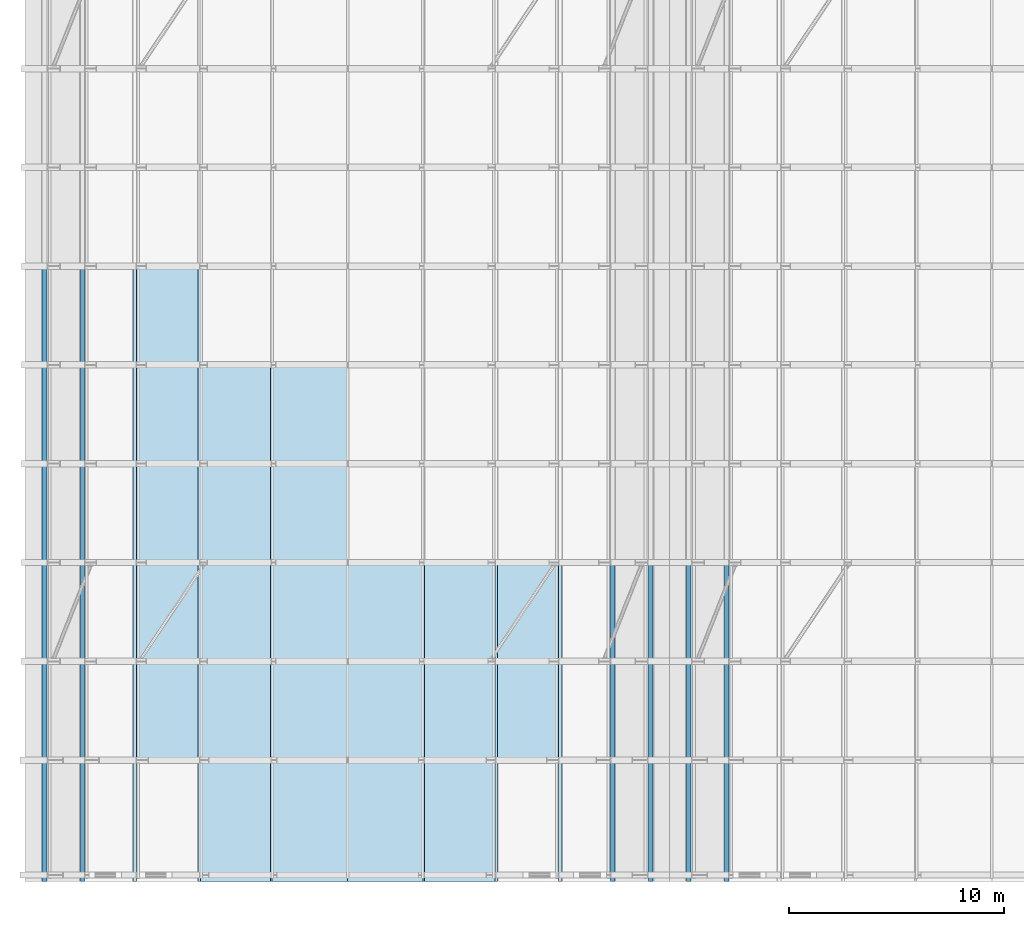
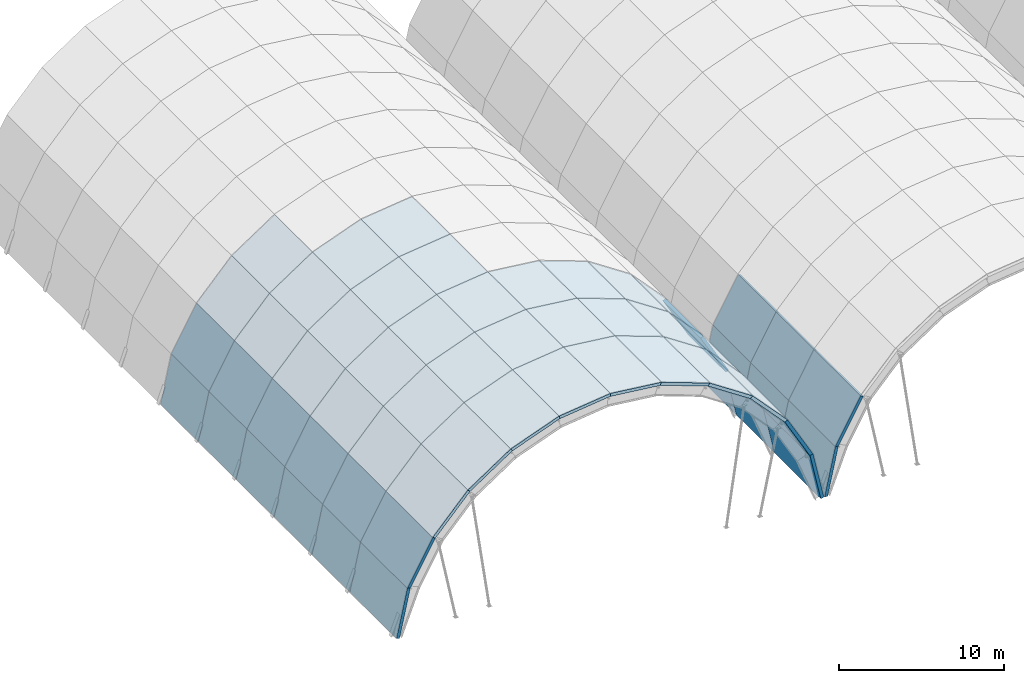
# One storey, part 19 of 47: 58 slabs, 2 elements without a shape of their own.
"""IFC4 building model written with IfcOpenShell, lengths in metres."""

import ifcopenshell
import ifcopenshell.guid

model = None  # the IFC model being written
_history = None  # IfcOwnerHistory: only IFC2X3 demands one
_inside = {}  # id of a spatial element -> (the spatial element, [elements in it])
_under = {}  # id of a project, library or spatial element -> (it, [spatial elements below it])
_declared = {}  # id of a project -> (the project, [libraries it declares])
_typed = {}  # id of a type object -> (the type object, [elements of that type])
_made_of = {}  # id of a material, layer set ... -> (it, [elements and type objects made of it])


def new_model(schema):
    """Start an empty IFC model of exactly this schema.

    Asked for "IFC4X3", IfcOpenShell would pick the latest addendum, in which some entities
    have other attributes; the version numbers below select the first issue.
    IFC2X3 requires an IfcOwnerHistory on every rooted entity: one is made here for all.
    """
    global model, _history
    if schema == "IFC4X3":
        model = ifcopenshell.file(schema_version=(4, 3, 0, 0))
    else:
        model = ifcopenshell.file(schema=schema)
    _inside.clear()
    _under.clear()
    _declared.clear()
    _typed.clear()
    _made_of.clear()
    _history = None
    if model.schema == "IFC2X3":
        org = make("IfcOrganization", Name="unknown")
        user = make(
            "IfcPersonAndOrganization",
            ThePerson=make("IfcPerson", FamilyName="unknown"),
            TheOrganization=org,
        )
        app = make(
            "IfcApplication",
            ApplicationDeveloper=org,
            Version="unknown",
            ApplicationFullName="unknown",
            ApplicationIdentifier="unknown",
        )
        _history = make(
            "IfcOwnerHistory",
            OwningUser=user,
            OwningApplication=app,
            ChangeAction="ADDED",
            CreationDate=0,
        )
    return model


def make(cls, **values):
    """One entity of the class cls with the attributes given. An attribute that is None is left unset."""
    return model.create_entity(
        cls, **{name: value for name, value in values.items() if value is not None}
    )


def rooted(cls, **values):
    """An entity with a GlobalId (a new one), such as an element, a storey or a relation."""
    return make(cls, GlobalId=ifcopenshell.guid.new(), OwnerHistory=_history, **values)


def si_unit(unit_type, name, prefix=None):
    """IfcSIUnit, for example si_unit("LENGTHUNIT", "METRE", prefix="MILLI")."""
    return make("IfcSIUnit", UnitType=unit_type, Prefix=prefix, Name=name)


def assignment(units):
    """IfcUnitAssignment: the units of a project."""
    return None if units is None else make("IfcUnitAssignment", Units=units)


def point(xyz):
    """IfcCartesianPoint."""
    return None if xyz is None else make("IfcCartesianPoint", Coordinates=xyz)


def direction(xyz):
    """IfcDirection."""
    return None if xyz is None else make("IfcDirection", DirectionRatios=xyz)


def frame(location, z_axis=None, x_axis=None):
    """IfcAxis2Placement3D, a coordinate frame: its origin and axes. An axis left out is left unset."""
    return make(
        "IfcAxis2Placement3D",
        Location=point(location),
        Axis=direction(z_axis),
        RefDirection=direction(x_axis),
    )


def origin():
    """The frame at (0, 0, 0) with its axes left unset."""
    return frame((0.0, 0.0, 0.0))


def place(relative_to, where):
    """IfcLocalPlacement: puts the frame where relative to a parent placement (None: the world)."""
    return make(
        "IfcLocalPlacement", PlacementRelTo=relative_to, RelativePlacement=where
    )


def context(
    kind, dimensions, precision=None, world=None, true_north=None, identifier=None
):
    """IfcGeometricRepresentationContext, for example the 3D "Model" context."""
    return make(
        "IfcGeometricRepresentationContext",
        ContextIdentifier=identifier,
        ContextType=kind,
        CoordinateSpaceDimension=dimensions,
        Precision=precision,
        WorldCoordinateSystem=world,
        TrueNorth=true_north,
    )


def subcontext(parent, identifier, kind, view, scale=None):
    """IfcGeometricRepresentationSubContext, for example "Body" below "Model"."""
    return make(
        "IfcGeometricRepresentationSubContext",
        ContextIdentifier=identifier,
        ContextType=kind,
        ParentContext=parent,
        TargetScale=scale,
        TargetView=view,
    )


def project(units=None, contexts=None):
    """IfcProject with its units and contexts."""
    return rooted(
        "IfcProject",
        Name="project",
        RepresentationContexts=contexts,
        UnitsInContext=assignment(units),
    )


def spatial(cls, under=None, at=None, **own):
    """A site, building, storey or space (cls), placed at a placement, below another one or the project."""
    s = rooted(cls, ObjectPlacement=at, **own)
    if under is not None:
        _under.setdefault(under.id(), (under, []))[1].append(s)
    return s


def polyline(points):
    """IfcPolyline through the points."""
    return make("IfcPolyline", Points=[point(p) for p in points])


def outline(outer, holes=None, kind="AREA"):
    """IfcArbitraryClosedProfileDef: a profile drawn as a closed curve; with holes, ...WithVoids."""
    if holes is None:
        return make("IfcArbitraryClosedProfileDef", ProfileType=kind, OuterCurve=outer)
    return make(
        "IfcArbitraryProfileDefWithVoids",
        ProfileType=kind,
        OuterCurve=outer,
        InnerCurves=holes,
    )


def extrude(swept, where, along, depth):
    """IfcExtrudedAreaSolid: the profile swept, set in the frame where, extruded along a direction by depth."""
    return make(
        "IfcExtrudedAreaSolid",
        SweptArea=swept,
        Position=where,
        ExtrudedDirection=direction(along),
        Depth=depth,
    )


def shape(context_of_items, identifier, shape_type, items):
    """IfcShapeRepresentation: the items that make up one representation, for example the "Body"."""
    return make(
        "IfcShapeRepresentation",
        ContextOfItems=context_of_items,
        RepresentationIdentifier=identifier,
        RepresentationType=shape_type,
        Items=items,
    )


def material(Name=None, Category=None):
    """IfcMaterial."""
    return make("IfcMaterial", Name=Name, Category=Category)


def layer(
    of_material, thickness, ventilated=None, Name=None, Category=None, Priority=None
):
    """IfcMaterialLayer: one layer of a wall or slab, of a material (None: an air gap)."""
    return make(
        "IfcMaterialLayer",
        Material=of_material,
        LayerThickness=thickness,
        IsVentilated=ventilated,
        Name=Name,
        Category=Category,
        Priority=Priority,
    )


def layer_set(layers, Name=None):
    """IfcMaterialLayerSet."""
    return make("IfcMaterialLayerSet", MaterialLayers=layers, LayerSetName=Name)


def made_of(thing, what):
    """Note that an element or type object is made of a material, layer set ...; save() writes the relation."""
    if what is not None:
        _made_of.setdefault(what.id(), (what, []))[1].append(thing)
    return thing


def type_object(cls, material=None, **own):
    """A type object (cls), such as IfcWallType, which elements share."""
    return made_of(rooted(cls, **own), material)


def element(
    cls,
    number,
    at=None,
    inside=None,
    cuts=None,
    type_object=None,
    material=None,
    context=None,
    identifier="Body",
    shape_type=None,
    held_by="IfcProductDefinitionShape",
    body=None,
    shapes=None,
    **own,
):
    """One element of the class cls, such as IfcWall. Its Tag is "e" and its number.

    at: its placement. inside: the storey or other place that contains it. cuts: it is an
    opening in that element (IfcRelVoidsElement). A single representation is given by context,
    identifier, shape_type and body (its items); several are given by shapes. held_by: the class
    of the entity that holds the representations. save() writes the other relations.
    """
    e = rooted(cls, Tag="e%d" % number, ObjectPlacement=at, **own)
    if body is not None:
        shapes = [shape(context, identifier, shape_type, body)]
    if shapes is not None:
        e.Representation = make(held_by, Representations=shapes)
    if inside is not None:
        _inside.setdefault(inside.id(), (inside, []))[1].append(e)
    if cuts is not None:
        rooted(
            "IfcRelVoidsElement", RelatingBuildingElement=cuts, RelatedOpeningElement=e
        )
    if type_object is not None:
        _typed.setdefault(type_object.id(), (type_object, []))[1].append(e)
    return made_of(e, material)


def aggregate(whole, parts):
    """IfcRelAggregates: a whole, such as a stair, and the parts it consists of."""
    return rooted("IfcRelAggregates", RelatingObject=whole, RelatedObjects=parts)


def save(model, path):
    """Write the relations noted so far, then the file.

    IfcRelAggregates (storeys below a building ...), IfcRelContainedInSpatialStructure (elements
    in a storey), IfcRelDefinesByType, IfcRelAssociatesMaterial and IfcRelDeclares: one each for
    every whole, place, type object, material and project.
    """
    for whole, parts in _under.values():
        aggregate(whole, parts)
    for where, things in _inside.values():
        rooted(
            "IfcRelContainedInSpatialStructure",
            RelatedElements=things,
            RelatingStructure=where,
        )
    for kind, things in _typed.values():
        rooted("IfcRelDefinesByType", RelatedObjects=things, RelatingType=kind)
    for what, things in _made_of.values():
        rooted("IfcRelAssociatesMaterial", RelatedObjects=things, RelatingMaterial=what)
    for by, libraries in _declared.values():
        rooted("IfcRelDeclares", RelatingContext=by, RelatedDefinitions=libraries)
    model.write(path)


model = new_model("IFC4")

# Units and contexts
model_context = context("Model", 3, precision=1e-05, world=origin(), true_north=direction((0.0, 1.0)))
body_context = subcontext(model_context, "Body", "Model", "MODEL_VIEW")
ifc_project = project(units=[si_unit("LENGTHUNIT", "METRE"), si_unit("AREAUNIT", "SQUARE_METRE"), si_unit("VOLUMEUNIT", "CUBIC_METRE"), si_unit("PLANEANGLEUNIT", "RADIAN"), si_unit("MASSUNIT", "GRAM", prefix="KILO")], contexts=[model_context])

# Site, building, storey
site_placement = place(None, origin())
site = spatial("IfcSite", under=ifc_project, at=site_placement, CompositionType="ELEMENT")
building_placement = place(site_placement, origin())
building = spatial("IfcBuilding", under=site, at=building_placement, Name="Muzn Square Opera House", CompositionType="ELEMENT")
storey_placement = place(building_placement, frame((0.0, 0.0, 31.0)))
storey = spatial("IfcBuildingStorey", under=building, at=storey_placement, Name="RF-1", CompositionType="ELEMENT", Elevation=31.0)

# Roof, slabs
ifc_material_1 = material(Name="Patina green copper-zinc standing seam", Category="metal")
roof_type = type_object("IfcRoofType", Name="Barrel Vault Roof Assembly", PredefinedType="BARREL_ROOF", material=ifc_material_1)
roof_1_placement = place(storey_placement, origin())
roof_1 = element("IfcRoof", 1, at=roof_1_placement, inside=storey, type_object=roof_type, Name="West Salon Barrel Vault Roof Assembly", PredefinedType="BARREL_ROOF")
ifc_material_2 = material(Name="Concrete C40/50", Category="concrete")
ifc_layer = layer(ifc_material_2, 0.219970703125, Name="Concrete C40/50", Category="concrete")
ifc_layer_set = layer_set([ifc_layer], Name="Concrete C40/50")
slab_type = type_object("IfcSlabType", Name="Barrel Vault Roof Slab 220mm", PredefinedType="ROOF", material=ifc_layer_set)
slab_1_placement = place(storey_placement, frame((43.780029296875, 20.949951171875, -9.03564453125), z_axis=(-0.97702538959, 0.0, 0.213122941272), x_axis=(0.0, 1.0, 0.0)))
slab_1 = element("IfcSlab", 2, at=slab_1_placement, type_object=slab_type, Name="Barrel Vault Roof Deck Strip V1-00-F00", PredefinedType="ROOF", context=body_context, shape_type="SweptSolid", body=[
    extrude(outline(polyline([(0.0, 3.5523162058829336), (0.0, 0.0), (5.650146484375, 0.0), (5.650146484375, 3.5523162058829336), (0.0, 3.5523162058829336)])), origin(), (0.0, 0.0, -1.0), 0.219970703125),
])
slab_2_placement = place(storey_placement, frame((45.55712890625, 20.949951171875, -5.891845703125), z_axis=(-0.870542692247, 0.0, 0.492092898724), x_axis=(0.0, 1.0, 0.0)))
slab_2 = element("IfcSlab", 3, at=slab_2_placement, type_object=slab_type, Name="Barrel Vault Roof Deck Strip V1-00-F01", PredefinedType="ROOF", context=body_context, shape_type="SweptSolid", body=[
    extrude(outline(polyline([(0.0, 3.611309193818898), (0.0, 0.0), (5.650146484375, 0.0), (5.650146484375, 3.611309193818898), (0.0, 3.611309193818898)])), origin(), (0.0, 0.0, -1.0), 0.219970703125),
])
slab_3_placement = place(storey_placement, frame((48.016845703125, 20.949951171875, -3.24755859375), z_axis=(-0.732198498352, 0.0, 0.681091300055), x_axis=(0.0, 1.0, 0.0)))
slab_3 = element("IfcSlab", 4, at=slab_3_placement, type_object=slab_type, Name="Barrel Vault Roof Deck Strip V1-00-F02", PredefinedType="ROOF", context=body_context, shape_type="SweptSolid", body=[
    extrude(outline(polyline([(0.0, 3.6114347616474816), (0.0, 0.0), (5.650146484375, 0.0), (5.650146484375, 3.6114347616474816), (0.0, 3.6114347616474816)])), origin(), (0.0, 0.0, -1.0), 0.219970703125),
])
slab_4_placement = place(storey_placement, frame((51.02392578125, 20.949951171875, -1.248046875), z_axis=(-0.553701293488, 0.0, 0.832715364089), x_axis=(0.0, 1.0, 0.0)))
slab_4 = element("IfcSlab", 5, at=slab_4_placement, type_object=slab_type, Name="Barrel Vault Roof Deck Strip V1-00-F03", PredefinedType="ROOF", context=body_context, shape_type="SweptSolid", body=[
    extrude(outline(polyline([(0.0, 3.6111740071166376), (0.0, 0.0), (5.650146484375, 0.0), (5.650146484375, 3.6111740071166376), (0.0, 3.6111740071166376)])), origin(), (0.0, 0.0, -1.0), 0.219970703125),
])
slab_5_placement = place(storey_placement, frame((54.41357421875, 20.949951171875, -0.00244140625), z_axis=(-0.344922006795, 0.0, 0.938631348948), x_axis=(0.0, 1.0, 0.0)))
slab_5 = element("IfcSlab", 6, at=slab_5_placement, type_object=slab_type, Name="Barrel Vault Roof Deck Strip V1-00-F04", PredefinedType="ROOF", context=body_context, shape_type="SweptSolid", body=[
    extrude(outline(polyline([(0.0, 3.6112670233072075), (0.0, 0.0), (5.650146484375, 0.0), (5.650146484375, 3.6112670233072075), (0.0, 3.6112670233072075)])), origin(), (0.0, 0.0, -1.0), 0.219970703125),
])
slab_6_placement = place(storey_placement, frame((58.0, 20.949951171875, 0.419921875), z_axis=(-0.116958923267, 0.0, 0.993136753055), x_axis=(0.0, 1.0, 0.0)))
slab_6 = element("IfcSlab", 7, at=slab_6_placement, type_object=slab_type, Name="Barrel Vault Roof Deck Strip V1-00-F05", PredefinedType="ROOF", context=body_context, shape_type="SweptSolid", body=[
    extrude(outline(polyline([(0.0, 3.611210410065154), (0.0, 0.0), (5.650146484375, 0.0), (5.650146484375, 3.611210410065154), (0.0, 3.611210410065154)])), origin(), (0.0, 0.0, -1.0), 0.219970703125),
])
slab_7_placement = place(storey_placement, frame((58.0, 20.949951171875, 0.419921875), z_axis=(0.116958923267, 0.0, 0.993136753055), x_axis=(0.993136753055, 0.0, -0.116958923267)))
slab_7 = element("IfcSlab", 8, at=slab_7_placement, type_object=slab_type, Name="Barrel Vault Roof Deck Strip V1-00-F06", PredefinedType="ROOF", context=body_context, shape_type="SweptSolid", body=[
    extrude(outline(polyline([(0.0, 0.0), (3.611210410065154, 0.0), (3.611210410065154, 5.650146484375), (0.0, 5.650146484375), (0.0, 0.0)])), origin(), (0.0, 0.0, -1.0), 0.219970703125),
])
slab_8_placement = place(storey_placement, frame((61.58642578125, 20.949951171875, -0.00244140625), z_axis=(0.344922006795, 0.0, 0.938631348948), x_axis=(0.938631348948, 0.0, -0.344922006795)))
slab_8 = element("IfcSlab", 9, at=slab_8_placement, type_object=slab_type, Name="Barrel Vault Roof Deck Strip V1-00-F07", PredefinedType="ROOF", context=body_context, shape_type="SweptSolid", body=[
    extrude(outline(polyline([(0.0, 0.0), (3.6112670233072075, 0.0), (3.6112670233072075, 5.650146484375), (0.0, 5.650146484375), (0.0, 0.0)])), origin(), (0.0, 0.0, -1.0), 0.219970703125),
])
slab_9_placement = place(storey_placement, frame((64.97607421875, 20.949951171875, -1.248046875), z_axis=(0.553701293488, 0.0, 0.832715364089), x_axis=(0.832715364089, 0.0, -0.553701293488)))
slab_9 = element("IfcSlab", 10, at=slab_9_placement, type_object=slab_type, Name="Barrel Vault Roof Deck Strip V1-00-F08", PredefinedType="ROOF", context=body_context, shape_type="SweptSolid", body=[
    extrude(outline(polyline([(0.0, 0.0), (3.611174007116638, 0.0), (3.611174007116638, 5.650146484375), (0.0, 5.650146484375), (0.0, 0.0)])), origin(), (0.0, 0.0, -1.0), 0.219970703125),
])
slab_10_placement = place(storey_placement, frame((67.983154296875, 20.949951171875, -3.24755859375), z_axis=(0.732198498352, 0.0, 0.681091300055), x_axis=(0.681091300055, 0.0, -0.732198498352)))
slab_10 = element("IfcSlab", 11, at=slab_10_placement, type_object=slab_type, Name="Barrel Vault Roof Deck Strip V1-00-F09", PredefinedType="ROOF", context=body_context, shape_type="SweptSolid", body=[
    extrude(outline(polyline([(0.0, 0.0), (3.611434761647482, 0.0), (3.611434761647482, 5.650146484375), (0.0, 5.650146484375), (0.0, 0.0)])), origin(), (0.0, 0.0, -1.0), 0.219970703125),
])
slab_11_placement = place(storey_placement, frame((70.44287109375, 20.949951171875, -5.891845703125), z_axis=(0.870542692247, 0.0, 0.492092898724), x_axis=(0.492092898724, 0.0, -0.870542692247)))
slab_11 = element("IfcSlab", 12, at=slab_11_placement, type_object=slab_type, Name="Barrel Vault Roof Deck Strip V1-00-F10", PredefinedType="ROOF", context=body_context, shape_type="SweptSolid", body=[
    extrude(outline(polyline([(0.0, 0.0), (3.611309193818898, 0.0), (3.611309193818898, 5.650146484375), (0.0, 5.650146484375), (0.0, 0.0)])), origin(), (0.0, 0.0, -1.0), 0.219970703125),
])
slab_12_placement = place(storey_placement, frame((72.219970703125, 20.949951171875, -9.03564453125), z_axis=(0.97702538959, 0.0, 0.213122941272), x_axis=(0.213122941272, 0.0, -0.97702538959)))
slab_12 = element("IfcSlab", 13, at=slab_12_placement, type_object=slab_type, Name="Barrel Vault Roof Deck Strip V1-00-F11", PredefinedType="ROOF", context=body_context, shape_type="SweptSolid", body=[
    extrude(outline(polyline([(0.0, 0.0), (3.5523162058829336, 0.0), (3.5523162058829336, 5.650146484375), (0.0, 5.650146484375), (0.0, 0.0)])), origin(), (0.0, 0.0, -1.0), 0.219970703125),
])
slab_13_placement = place(storey_placement, frame((43.780029296875, 26.60009765625, -9.03564453125), z_axis=(-0.97702538959, 0.0, 0.213122941272), x_axis=(0.0, 1.0, 0.0)))
slab_13 = element("IfcSlab", 14, at=slab_13_placement, type_object=slab_type, Name="Barrel Vault Roof Deck Strip V1-01-F00", PredefinedType="ROOF", context=body_context, shape_type="SweptSolid", body=[
    extrude(outline(polyline([(0.0, 3.5523162058829336), (0.0, 0.0), (4.599853515625, 0.0), (4.599853515625, 3.5523162058829336), (0.0, 3.5523162058829336)])), origin(), (0.0, 0.0, -1.0), 0.219970703125),
])
slab_14_placement = place(storey_placement, frame((45.55712890625, 26.60009765625, -5.891845703125), z_axis=(-0.870542692247, 0.0, 0.492092898724), x_axis=(0.0, 1.0, 0.0)))
slab_14 = element("IfcSlab", 15, at=slab_14_placement, type_object=slab_type, Name="Barrel Vault Roof Deck Strip V1-01-F01", PredefinedType="ROOF", context=body_context, shape_type="SweptSolid", body=[
    extrude(outline(polyline([(0.0, 3.611309193818898), (0.0, 0.0), (4.599853515625, 0.0), (4.599853515625, 3.611309193818898), (0.0, 3.611309193818898)])), origin(), (0.0, 0.0, -1.0), 0.219970703125),
])
slab_15_placement = place(storey_placement, frame((48.016845703125, 26.60009765625, -3.24755859375), z_axis=(-0.732198498352, 0.0, 0.681091300055), x_axis=(0.0, 1.0, 0.0)))
slab_15 = element("IfcSlab", 16, at=slab_15_placement, type_object=slab_type, Name="Barrel Vault Roof Deck Strip V1-01-F02", PredefinedType="ROOF", context=body_context, shape_type="SweptSolid", body=[
    extrude(outline(polyline([(0.0, 3.6114347616474816), (0.0, 0.0), (4.599853515625, 0.0), (4.599853515625, 3.6114347616474816), (0.0, 3.6114347616474816)])), origin(), (0.0, 0.0, -1.0), 0.219970703125),
])
slab_16_placement = place(storey_placement, frame((51.02392578125, 26.60009765625, -1.248046875), z_axis=(-0.553701293488, 0.0, 0.832715364089), x_axis=(0.0, 1.0, 0.0)))
slab_16 = element("IfcSlab", 17, at=slab_16_placement, type_object=slab_type, Name="Barrel Vault Roof Deck Strip V1-01-F03", PredefinedType="ROOF", context=body_context, shape_type="SweptSolid", body=[
    extrude(outline(polyline([(0.0, 3.6111740071166376), (0.0, 0.0), (4.599853515625, 0.0), (4.599853515625, 3.6111740071166376), (0.0, 3.6111740071166376)])), origin(), (0.0, 0.0, -1.0), 0.219970703125),
])
slab_17_placement = place(storey_placement, frame((54.41357421875, 26.60009765625, -0.00244140625), z_axis=(-0.344922006795, 0.0, 0.938631348948), x_axis=(0.0, 1.0, 0.0)))
slab_17 = element("IfcSlab", 18, at=slab_17_placement, type_object=slab_type, Name="Barrel Vault Roof Deck Strip V1-01-F04", PredefinedType="ROOF", context=body_context, shape_type="SweptSolid", body=[
    extrude(outline(polyline([(0.0, 3.6112670233072075), (0.0, 0.0), (4.599853515625, 0.0), (4.599853515625, 3.6112670233072075), (0.0, 3.6112670233072075)])), origin(), (0.0, 0.0, -1.0), 0.219970703125),
])
slab_18_placement = place(storey_placement, frame((58.0, 26.60009765625, 0.419921875), z_axis=(-0.116958923267, 0.0, 0.993136753055), x_axis=(0.0, 1.0, 0.0)))
slab_18 = element("IfcSlab", 19, at=slab_18_placement, type_object=slab_type, Name="Barrel Vault Roof Deck Strip V1-01-F05", PredefinedType="ROOF", context=body_context, shape_type="SweptSolid", body=[
    extrude(outline(polyline([(0.0, 3.611210410065154), (0.0, 0.0), (4.599853515625, 0.0), (4.599853515625, 3.611210410065154), (0.0, 3.611210410065154)])), origin(), (0.0, 0.0, -1.0), 0.219970703125),
])
slab_19_placement = place(storey_placement, frame((58.0, 26.60009765625, 0.419921875), z_axis=(0.116958923267, 0.0, 0.993136753055), x_axis=(0.993136753055, 0.0, -0.116958923267)))
slab_19 = element("IfcSlab", 20, at=slab_19_placement, type_object=slab_type, Name="Barrel Vault Roof Deck Strip V1-01-F06", PredefinedType="ROOF", context=body_context, shape_type="SweptSolid", body=[
    extrude(outline(polyline([(0.0, 0.0), (3.611210410065154, 0.0), (3.611210410065154, 4.599853515625), (0.0, 4.599853515625), (0.0, 0.0)])), origin(), (0.0, 0.0, -1.0), 0.219970703125),
])
slab_20_placement = place(storey_placement, frame((61.58642578125, 26.60009765625, -0.00244140625), z_axis=(0.344922006795, 0.0, 0.938631348948), x_axis=(0.938631348948, 0.0, -0.344922006795)))
slab_20 = element("IfcSlab", 21, at=slab_20_placement, type_object=slab_type, Name="Barrel Vault Roof Deck Strip V1-01-F07", PredefinedType="ROOF", context=body_context, shape_type="SweptSolid", body=[
    extrude(outline(polyline([(0.0, 0.0), (3.6112670233072075, 0.0), (3.6112670233072075, 4.599853515625), (0.0, 4.599853515625), (0.0, 0.0)])), origin(), (0.0, 0.0, -1.0), 0.219970703125),
])
slab_21_placement = place(storey_placement, frame((64.97607421875, 26.60009765625, -1.248046875), z_axis=(0.553701293488, 0.0, 0.832715364089), x_axis=(0.832715364089, 0.0, -0.553701293488)))
slab_21 = element("IfcSlab", 22, at=slab_21_placement, type_object=slab_type, Name="Barrel Vault Roof Deck Strip V1-01-F08", PredefinedType="ROOF", context=body_context, shape_type="SweptSolid", body=[
    extrude(outline(polyline([(0.0, 0.0), (3.611174007116638, 0.0), (3.611174007116638, 4.599853515625), (0.0, 4.599853515625), (0.0, 0.0)])), origin(), (0.0, 0.0, -1.0), 0.219970703125),
])
slab_22_placement = place(storey_placement, frame((67.983154296875, 26.60009765625, -3.24755859375), z_axis=(0.732198498352, 0.0, 0.681091300055), x_axis=(0.681091300055, 0.0, -0.732198498352)))
slab_22 = element("IfcSlab", 23, at=slab_22_placement, type_object=slab_type, Name="Barrel Vault Roof Deck Strip V1-01-F09", PredefinedType="ROOF", context=body_context, shape_type="SweptSolid", body=[
    extrude(outline(polyline([(0.0, 0.0), (3.611434761647482, 0.0), (3.611434761647482, 4.599853515625), (0.0, 4.599853515625), (0.0, 0.0)])), origin(), (0.0, 0.0, -1.0), 0.219970703125),
])
slab_23_placement = place(storey_placement, frame((70.44287109375, 26.60009765625, -5.891845703125), z_axis=(0.870542692247, 0.0, 0.492092898724), x_axis=(0.492092898724, 0.0, -0.870542692247)))
slab_23 = element("IfcSlab", 24, at=slab_23_placement, type_object=slab_type, Name="Barrel Vault Roof Deck Strip V1-01-F10", PredefinedType="ROOF", context=body_context, shape_type="SweptSolid", body=[
    extrude(outline(polyline([(0.0, 0.0), (3.611309193818898, 0.0), (3.611309193818898, 4.599853515625), (0.0, 4.599853515625), (0.0, 0.0)])), origin(), (0.0, 0.0, -1.0), 0.219970703125),
])
slab_24_placement = place(storey_placement, frame((72.219970703125, 26.60009765625, -9.03564453125), z_axis=(0.97702538959, 0.0, 0.213122941272), x_axis=(0.213122941272, 0.0, -0.97702538959)))
slab_24 = element("IfcSlab", 25, at=slab_24_placement, type_object=slab_type, Name="Barrel Vault Roof Deck Strip V1-01-F11", PredefinedType="ROOF", context=body_context, shape_type="SweptSolid", body=[
    extrude(outline(polyline([(0.0, 0.0), (3.5523162058829336, 0.0), (3.5523162058829336, 4.599853515625), (0.0, 4.599853515625), (0.0, 0.0)])), origin(), (0.0, 0.0, -1.0), 0.219970703125),
])
slab_25_placement = place(storey_placement, frame((43.780029296875, 31.199951171875, -9.03564453125), z_axis=(-0.97702538959, 0.0, 0.213122941272), x_axis=(0.0, 1.0, 0.0)))
slab_25 = element("IfcSlab", 26, at=slab_25_placement, type_object=slab_type, Name="Barrel Vault Roof Deck Strip V1-02-F00", PredefinedType="ROOF", context=body_context, shape_type="SweptSolid", body=[
    extrude(outline(polyline([(0.0, 3.5523162058829336), (0.0, 0.0), (4.60009765625, 0.0), (4.60009765625, 3.5523162058829336), (0.0, 3.5523162058829336)])), origin(), (0.0, 0.0, -1.0), 0.219970703125),
])
slab_26_placement = place(storey_placement, frame((45.55712890625, 31.199951171875, -5.891845703125), z_axis=(-0.870542692247, 0.0, 0.492092898724), x_axis=(0.0, 1.0, 0.0)))
slab_26 = element("IfcSlab", 27, at=slab_26_placement, type_object=slab_type, Name="Barrel Vault Roof Deck Strip V1-02-F01", PredefinedType="ROOF", context=body_context, shape_type="SweptSolid", body=[
    extrude(outline(polyline([(0.0, 3.611309193818898), (0.0, 0.0), (4.60009765625, 0.0), (4.60009765625, 3.611309193818898), (0.0, 3.611309193818898)])), origin(), (0.0, 0.0, -1.0), 0.219970703125),
])
slab_27_placement = place(storey_placement, frame((48.016845703125, 31.199951171875, -3.24755859375), z_axis=(-0.732198498352, 0.0, 0.681091300055), x_axis=(0.0, 1.0, 0.0)))
slab_27 = element("IfcSlab", 28, at=slab_27_placement, type_object=slab_type, Name="Barrel Vault Roof Deck Strip V1-02-F02", PredefinedType="ROOF", context=body_context, shape_type="SweptSolid", body=[
    extrude(outline(polyline([(0.0, 3.6114347616474824), (0.0, 0.0), (4.60009765625, 0.0), (4.60009765625, 3.6114347616474824), (0.0, 3.6114347616474824)])), origin(), (0.0, 0.0, -1.0), 0.219970703125),
])
slab_28_placement = place(storey_placement, frame((51.02392578125, 31.199951171875, -1.248046875), z_axis=(-0.553701293488, 0.0, 0.832715364089), x_axis=(0.0, 1.0, 0.0)))
slab_28 = element("IfcSlab", 29, at=slab_28_placement, type_object=slab_type, Name="Barrel Vault Roof Deck Strip V1-02-F03", PredefinedType="ROOF", context=body_context, shape_type="SweptSolid", body=[
    extrude(outline(polyline([(0.0, 3.611174007116637), (0.0, 0.0), (4.60009765625, 0.0), (4.60009765625, 3.611174007116637), (0.0, 3.611174007116637)])), origin(), (0.0, 0.0, -1.0), 0.219970703125),
])
slab_29_placement = place(storey_placement, frame((54.41357421875, 31.199951171875, -0.00244140625), z_axis=(-0.344922006795, 0.0, 0.938631348948), x_axis=(0.0, 1.0, 0.0)))
slab_29 = element("IfcSlab", 30, at=slab_29_placement, type_object=slab_type, Name="Barrel Vault Roof Deck Strip V1-02-F04", PredefinedType="ROOF", context=body_context, shape_type="SweptSolid", body=[
    extrude(outline(polyline([(0.0, 3.6112670233072075), (0.0, 0.0), (4.60009765625, 0.0), (4.60009765625, 3.6112670233072075), (0.0, 3.6112670233072075)])), origin(), (0.0, 0.0, -1.0), 0.219970703125),
])
slab_30_placement = place(storey_placement, frame((58.0, 31.199951171875, 0.419921875), z_axis=(-0.116958923267, 0.0, 0.993136753055), x_axis=(0.0, 1.0, 0.0)))
slab_30 = element("IfcSlab", 31, at=slab_30_placement, type_object=slab_type, Name="Barrel Vault Roof Deck Strip V1-02-F05", PredefinedType="ROOF", context=body_context, shape_type="SweptSolid", body=[
    extrude(outline(polyline([(0.0, 3.611210410065154), (0.0, 0.0), (4.60009765625, 0.0), (4.60009765625, 3.611210410065154), (0.0, 3.611210410065154)])), origin(), (0.0, 0.0, -1.0), 0.219970703125),
])
slab_31_placement = place(storey_placement, frame((58.0, 31.199951171875, 0.419921875), z_axis=(0.116958923267, 0.0, 0.993136753055), x_axis=(0.993136753055, 0.0, -0.116958923267)))
slab_31 = element("IfcSlab", 32, at=slab_31_placement, type_object=slab_type, Name="Barrel Vault Roof Deck Strip V1-02-F06", PredefinedType="ROOF", context=body_context, shape_type="SweptSolid", body=[
    extrude(outline(polyline([(0.0, 0.0), (3.611210410065154, 0.0), (3.611210410065154, 4.60009765625), (0.0, 4.60009765625), (0.0, 0.0)])), origin(), (0.0, 0.0, -1.0), 0.219970703125),
])
slab_32_placement = place(storey_placement, frame((61.58642578125, 31.199951171875, -0.00244140625), z_axis=(0.344922006795, 0.0, 0.938631348948), x_axis=(0.938631348948, 0.0, -0.344922006795)))
slab_32 = element("IfcSlab", 33, at=slab_32_placement, type_object=slab_type, Name="Barrel Vault Roof Deck Strip V1-02-F07", PredefinedType="ROOF", context=body_context, shape_type="SweptSolid", body=[
    extrude(outline(polyline([(0.0, 0.0), (3.6112670233072075, 0.0), (3.6112670233072075, 4.60009765625), (0.0, 4.60009765625), (0.0, 0.0)])), origin(), (0.0, 0.0, -1.0), 0.219970703125),
])
slab_33_placement = place(storey_placement, frame((64.97607421875, 31.199951171875, -1.248046875), z_axis=(0.553701293488, 0.0, 0.832715364089), x_axis=(0.832715364089, 0.0, -0.553701293488)))
slab_33 = element("IfcSlab", 34, at=slab_33_placement, type_object=slab_type, Name="Barrel Vault Roof Deck Strip V1-02-F08", PredefinedType="ROOF", context=body_context, shape_type="SweptSolid", body=[
    extrude(outline(polyline([(0.0, 0.0), (3.611174007116638, 0.0), (3.611174007116638, 4.600097656249999), (0.0, 4.600097656249999), (0.0, 0.0)])), origin(), (0.0, 0.0, -1.0), 0.219970703125),
])
slab_34_placement = place(storey_placement, frame((67.983154296875, 31.199951171875, -3.24755859375), z_axis=(0.732198498352, 0.0, 0.681091300055), x_axis=(0.681091300055, 0.0, -0.732198498352)))
slab_34 = element("IfcSlab", 35, at=slab_34_placement, type_object=slab_type, Name="Barrel Vault Roof Deck Strip V1-02-F09", PredefinedType="ROOF", context=body_context, shape_type="SweptSolid", body=[
    extrude(outline(polyline([(0.0, 0.0), (3.611434761647482, 0.0), (3.611434761647482, 4.600097656250001), (0.0, 4.600097656250001), (0.0, 0.0)])), origin(), (0.0, 0.0, -1.0), 0.219970703125),
])
slab_35_placement = place(storey_placement, frame((70.44287109375, 31.199951171875, -5.891845703125), z_axis=(0.870542692247, 0.0, 0.492092898724), x_axis=(0.492092898724, 0.0, -0.870542692247)))
slab_35 = element("IfcSlab", 36, at=slab_35_placement, type_object=slab_type, Name="Barrel Vault Roof Deck Strip V1-02-F10", PredefinedType="ROOF", context=body_context, shape_type="SweptSolid", body=[
    extrude(outline(polyline([(0.0, 0.0), (3.611309193818898, 0.0), (3.611309193818898, 4.60009765625), (0.0, 4.60009765625), (0.0, 0.0)])), origin(), (0.0, 0.0, -1.0), 0.219970703125),
])
slab_36_placement = place(storey_placement, frame((72.219970703125, 31.199951171875, -9.03564453125), z_axis=(0.97702538959, 0.0, 0.213122941272), x_axis=(0.213122941272, 0.0, -0.97702538959)))
slab_36 = element("IfcSlab", 37, at=slab_36_placement, type_object=slab_type, Name="Barrel Vault Roof Deck Strip V1-02-F11", PredefinedType="ROOF", context=body_context, shape_type="SweptSolid", body=[
    extrude(outline(polyline([(0.0, 0.0), (3.5523162058829336, 0.0), (3.5523162058829336, 4.60009765625), (0.0, 4.60009765625), (0.0, 0.0)])), origin(), (0.0, 0.0, -1.0), 0.219970703125),
])
slab_37_placement = place(storey_placement, frame((43.780029296875, 35.800048828125, -9.03564453125), z_axis=(-0.97702538959, 0.0, 0.213122941272), x_axis=(0.0, 1.0, 0.0)))
slab_37 = element("IfcSlab", 38, at=slab_37_placement, type_object=slab_type, Name="Barrel Vault Roof Deck Strip V1-03-F00", PredefinedType="ROOF", context=body_context, shape_type="SweptSolid", body=[
    extrude(outline(polyline([(0.0, 3.5523162058829336), (0.0, 0.0), (4.599853515625, 0.0), (4.599853515625, 3.5523162058829336), (0.0, 3.5523162058829336)])), origin(), (0.0, 0.0, -1.0), 0.219970703125),
])
slab_38_placement = place(storey_placement, frame((45.55712890625, 35.800048828125, -5.891845703125), z_axis=(-0.870542692247, 0.0, 0.492092898724), x_axis=(0.0, 1.0, 0.0)))
slab_38 = element("IfcSlab", 39, at=slab_38_placement, type_object=slab_type, Name="Barrel Vault Roof Deck Strip V1-03-F01", PredefinedType="ROOF", context=body_context, shape_type="SweptSolid", body=[
    extrude(outline(polyline([(0.0, 3.611309193818898), (0.0, 0.0), (4.599853515625, 0.0), (4.599853515625, 3.611309193818898), (0.0, 3.611309193818898)])), origin(), (0.0, 0.0, -1.0), 0.219970703125),
])
slab_39_placement = place(storey_placement, frame((48.016845703125, 35.800048828125, -3.24755859375), z_axis=(-0.732198498352, 0.0, 0.681091300055), x_axis=(0.0, 1.0, 0.0)))
slab_39 = element("IfcSlab", 40, at=slab_39_placement, type_object=slab_type, Name="Barrel Vault Roof Deck Strip V1-03-F02", PredefinedType="ROOF", context=body_context, shape_type="SweptSolid", body=[
    extrude(outline(polyline([(0.0, 3.6114347616474816), (0.0, 0.0), (4.599853515625, 0.0), (4.599853515625, 3.6114347616474816), (0.0, 3.6114347616474816)])), origin(), (0.0, 0.0, -1.0), 0.219970703125),
])
slab_40_placement = place(storey_placement, frame((51.02392578125, 35.800048828125, -1.248046875), z_axis=(-0.553701293488, 0.0, 0.832715364089), x_axis=(0.0, 1.0, 0.0)))
slab_40 = element("IfcSlab", 41, at=slab_40_placement, type_object=slab_type, Name="Barrel Vault Roof Deck Strip V1-03-F03", PredefinedType="ROOF", context=body_context, shape_type="SweptSolid", body=[
    extrude(outline(polyline([(0.0, 3.6111740071166376), (0.0, 0.0), (4.599853515625, 0.0), (4.599853515625, 3.6111740071166376), (0.0, 3.6111740071166376)])), origin(), (0.0, 0.0, -1.0), 0.219970703125),
])
slab_41_placement = place(storey_placement, frame((54.41357421875, 35.800048828125, -0.00244140625), z_axis=(-0.344922006795, 0.0, 0.938631348948), x_axis=(0.0, 1.0, 0.0)))
slab_41 = element("IfcSlab", 42, at=slab_41_placement, type_object=slab_type, Name="Barrel Vault Roof Deck Strip V1-03-F04", PredefinedType="ROOF", context=body_context, shape_type="SweptSolid", body=[
    extrude(outline(polyline([(0.0, 3.6112670233072075), (0.0, 0.0), (4.599853515625, 0.0), (4.599853515625, 3.6112670233072075), (0.0, 3.6112670233072075)])), origin(), (0.0, 0.0, -1.0), 0.219970703125),
])
slab_42_placement = place(storey_placement, frame((58.0, 35.800048828125, 0.419921875), z_axis=(-0.116958923267, 0.0, 0.993136753055), x_axis=(0.0, 1.0, 0.0)))
slab_42 = element("IfcSlab", 43, at=slab_42_placement, type_object=slab_type, Name="Barrel Vault Roof Deck Strip V1-03-F05", PredefinedType="ROOF", context=body_context, shape_type="SweptSolid", body=[
    extrude(outline(polyline([(0.0, 3.611210410065154), (0.0, 0.0), (4.599853515625, 0.0), (4.599853515625, 3.611210410065154), (0.0, 3.611210410065154)])), origin(), (0.0, 0.0, -1.0), 0.219970703125),
])
slab_43_placement = place(storey_placement, frame((43.780029296875, 40.39990234375, -9.03564453125), z_axis=(-0.97702538959, 0.0, 0.213122941272), x_axis=(0.0, 1.0, 0.0)))
slab_43 = element("IfcSlab", 44, at=slab_43_placement, type_object=slab_type, Name="Barrel Vault Roof Deck Strip V1-04-F00", PredefinedType="ROOF", context=body_context, shape_type="SweptSolid", body=[
    extrude(outline(polyline([(0.0, 3.5523162058829336), (0.0, 0.0), (4.60009765625, 0.0), (4.60009765625, 3.5523162058829336), (0.0, 3.5523162058829336)])), origin(), (0.0, 0.0, -1.0), 0.219970703125),
])
slab_44_placement = place(storey_placement, frame((45.55712890625, 40.39990234375, -5.891845703125), z_axis=(-0.870542692247, 0.0, 0.492092898724), x_axis=(0.0, 1.0, 0.0)))
slab_44 = element("IfcSlab", 45, at=slab_44_placement, type_object=slab_type, Name="Barrel Vault Roof Deck Strip V1-04-F01", PredefinedType="ROOF", context=body_context, shape_type="SweptSolid", body=[
    extrude(outline(polyline([(0.0, 3.611309193818898), (0.0, 0.0), (4.60009765625, 0.0), (4.60009765625, 3.611309193818898), (0.0, 3.611309193818898)])), origin(), (0.0, 0.0, -1.0), 0.219970703125),
])
slab_45_placement = place(storey_placement, frame((48.016845703125, 40.39990234375, -3.24755859375), z_axis=(-0.732198498352, 0.0, 0.681091300055), x_axis=(0.0, 1.0, 0.0)))
slab_45 = element("IfcSlab", 46, at=slab_45_placement, type_object=slab_type, Name="Barrel Vault Roof Deck Strip V1-04-F02", PredefinedType="ROOF", context=body_context, shape_type="SweptSolid", body=[
    extrude(outline(polyline([(0.0, 3.6114347616474824), (0.0, 0.0), (4.60009765625, 0.0), (4.60009765625, 3.6114347616474824), (0.0, 3.6114347616474824)])), origin(), (0.0, 0.0, -1.0), 0.219970703125),
])
slab_46_placement = place(storey_placement, frame((51.02392578125, 40.39990234375, -1.248046875), z_axis=(-0.553701293488, 0.0, 0.832715364089), x_axis=(0.0, 1.0, 0.0)))
slab_46 = element("IfcSlab", 47, at=slab_46_placement, type_object=slab_type, Name="Barrel Vault Roof Deck Strip V1-04-F03", PredefinedType="ROOF", context=body_context, shape_type="SweptSolid", body=[
    extrude(outline(polyline([(0.0, 3.611174007116637), (0.0, 0.0), (4.60009765625, 0.0), (4.60009765625, 3.611174007116637), (0.0, 3.611174007116637)])), origin(), (0.0, 0.0, -1.0), 0.219970703125),
])
slab_47_placement = place(storey_placement, frame((54.41357421875, 40.39990234375, -0.00244140625), z_axis=(-0.344922006795, 0.0, 0.938631348948), x_axis=(0.0, 1.0, 0.0)))
slab_47 = element("IfcSlab", 48, at=slab_47_placement, type_object=slab_type, Name="Barrel Vault Roof Deck Strip V1-04-F04", PredefinedType="ROOF", context=body_context, shape_type="SweptSolid", body=[
    extrude(outline(polyline([(0.0, 3.6112670233072075), (0.0, 0.0), (4.60009765625, 0.0), (4.60009765625, 3.6112670233072075), (0.0, 3.6112670233072075)])), origin(), (0.0, 0.0, -1.0), 0.219970703125),
])
slab_48_placement = place(storey_placement, frame((58.0, 40.39990234375, 0.419921875), z_axis=(-0.116958923267, 0.0, 0.993136753055), x_axis=(0.0, 1.0, 0.0)))
slab_48 = element("IfcSlab", 49, at=slab_48_placement, type_object=slab_type, Name="Barrel Vault Roof Deck Strip V1-04-F05", PredefinedType="ROOF", context=body_context, shape_type="SweptSolid", body=[
    extrude(outline(polyline([(0.0, 3.611210410065154), (0.0, 0.0), (4.60009765625, 0.0), (4.60009765625, 3.611210410065154), (0.0, 3.611210410065154)])), origin(), (0.0, 0.0, -1.0), 0.219970703125),
])
slab_49_placement = place(storey_placement, frame((43.780029296875, 45.0, -9.03564453125), z_axis=(-0.97702538959, 0.0, 0.213122941272), x_axis=(0.0, 1.0, 0.0)))
slab_49 = element("IfcSlab", 50, at=slab_49_placement, type_object=slab_type, Name="Barrel Vault Roof Deck Strip V1-05-F00", PredefinedType="ROOF", context=body_context, shape_type="SweptSolid", body=[
    extrude(outline(polyline([(0.0, 3.5523162058829336), (0.0, 0.0), (4.60009765625, 0.0), (4.60009765625, 3.5523162058829336), (0.0, 3.5523162058829336)])), origin(), (0.0, 0.0, -1.0), 0.219970703125),
])
slab_50_placement = place(storey_placement, frame((45.55712890625, 45.0, -5.891845703125), z_axis=(-0.870542692247, 0.0, 0.492092898724), x_axis=(0.0, 1.0, 0.0)))
slab_50 = element("IfcSlab", 51, at=slab_50_placement, type_object=slab_type, Name="Barrel Vault Roof Deck Strip V1-05-F01", PredefinedType="ROOF", context=body_context, shape_type="SweptSolid", body=[
    extrude(outline(polyline([(0.0, 3.611309193818898), (0.0, 0.0), (4.60009765625, 0.0), (4.60009765625, 3.611309193818898), (0.0, 3.611309193818898)])), origin(), (0.0, 0.0, -1.0), 0.219970703125),
])
slab_51_placement = place(storey_placement, frame((48.016845703125, 45.0, -3.24755859375), z_axis=(-0.732198498352, 0.0, 0.681091300055), x_axis=(0.0, 1.0, 0.0)))
slab_51 = element("IfcSlab", 52, at=slab_51_placement, type_object=slab_type, Name="Barrel Vault Roof Deck Strip V1-05-F02", PredefinedType="ROOF", context=body_context, shape_type="SweptSolid", body=[
    extrude(outline(polyline([(0.0, 3.6114347616474824), (0.0, 0.0), (4.60009765625, 0.0), (4.60009765625, 3.6114347616474824), (0.0, 3.6114347616474824)])), origin(), (0.0, 0.0, -1.0), 0.219970703125),
])
slab_52_placement = place(storey_placement, frame((51.02392578125, 45.0, -1.248046875), z_axis=(-0.553701293488, 0.0, 0.832715364089), x_axis=(0.0, 1.0, 0.0)))
slab_52 = element("IfcSlab", 53, at=slab_52_placement, type_object=slab_type, Name="Barrel Vault Roof Deck Strip V1-05-F03", PredefinedType="ROOF", context=body_context, shape_type="SweptSolid", body=[
    extrude(outline(polyline([(0.0, 3.611174007116637), (0.0, 0.0), (4.60009765625, 0.0), (4.60009765625, 3.611174007116637), (0.0, 3.611174007116637)])), origin(), (0.0, 0.0, -1.0), 0.219970703125),
])
aggregate(roof_1, [slab_1, slab_2, slab_3, slab_4, slab_5, slab_6, slab_7, slab_8, slab_9, slab_10, slab_11, slab_12, slab_13, slab_14, slab_15, slab_16, slab_17, slab_18, slab_19, slab_20, slab_21, slab_22, slab_23, slab_24, slab_25, slab_26, slab_27, slab_28, slab_29, slab_30, slab_31, slab_32, slab_33, slab_34, slab_35, slab_36, slab_37, slab_38, slab_39, slab_40, slab_41, slab_42, slab_43, slab_44, slab_45, slab_46, slab_47, slab_48, slab_49, slab_50, slab_51, slab_52])

roof_2_placement = place(storey_placement, origin())
roof_2 = element("IfcRoof", 54, at=roof_2_placement, inside=storey, type_object=roof_type, Name="Grand Auditorium Barrel Vault Roof Assembly", PredefinedType="BARREL_ROOF")
slab_53_placement = place(storey_placement, frame((73.780029296875, 20.949951171875, -9.03564453125), z_axis=(-0.97702538959, 0.0, 0.213122941272), x_axis=(0.0, 1.0, 0.0)))
slab_53 = element("IfcSlab", 55, at=slab_53_placement, type_object=slab_type, Name="Barrel Vault Roof Deck Strip V2-00-F00", PredefinedType="ROOF", context=body_context, shape_type="SweptSolid", body=[
    extrude(outline(polyline([(0.0, 3.5523162058829336), (0.0, 0.0), (5.650146484375, 0.0), (5.650146484375, 3.5523162058829336), (0.0, 3.5523162058829336)])), origin(), (0.0, 0.0, -1.0), 0.219970703125),
])
slab_54_placement = place(storey_placement, frame((75.55712890625, 20.949951171875, -5.891845703125), z_axis=(-0.870542692247, 0.0, 0.492092898724), x_axis=(0.0, 1.0, 0.0)))
slab_54 = element("IfcSlab", 56, at=slab_54_placement, type_object=slab_type, Name="Barrel Vault Roof Deck Strip V2-00-F01", PredefinedType="ROOF", context=body_context, shape_type="SweptSolid", body=[
    extrude(outline(polyline([(0.0, 3.611309193818898), (0.0, 0.0), (5.650146484375, 0.0), (5.650146484375, 3.611309193818898), (0.0, 3.611309193818898)])), origin(), (0.0, 0.0, -1.0), 0.219970703125),
])
slab_55_placement = place(storey_placement, frame((73.780029296875, 26.60009765625, -9.03564453125), z_axis=(-0.97702538959, 0.0, 0.213122941272), x_axis=(0.0, 1.0, 0.0)))
slab_55 = element("IfcSlab", 57, at=slab_55_placement, type_object=slab_type, Name="Barrel Vault Roof Deck Strip V2-01-F00", PredefinedType="ROOF", context=body_context, shape_type="SweptSolid", body=[
    extrude(outline(polyline([(0.0, 3.5523162058829336), (0.0, 0.0), (4.599853515625, 0.0), (4.599853515625, 3.5523162058829336), (0.0, 3.5523162058829336)])), origin(), (0.0, 0.0, -1.0), 0.219970703125),
])
slab_56_placement = place(storey_placement, frame((75.55712890625, 26.60009765625, -5.891845703125), z_axis=(-0.870542692247, 0.0, 0.492092898724), x_axis=(0.0, 1.0, 0.0)))
slab_56 = element("IfcSlab", 58, at=slab_56_placement, type_object=slab_type, Name="Barrel Vault Roof Deck Strip V2-01-F01", PredefinedType="ROOF", context=body_context, shape_type="SweptSolid", body=[
    extrude(outline(polyline([(0.0, 3.611309193818898), (0.0, 0.0), (4.599853515625, 0.0), (4.599853515625, 3.611309193818898), (0.0, 3.611309193818898)])), origin(), (0.0, 0.0, -1.0), 0.219970703125),
])
slab_57_placement = place(storey_placement, frame((73.780029296875, 31.199951171875, -9.03564453125), z_axis=(-0.97702538959, 0.0, 0.213122941272), x_axis=(0.0, 1.0, 0.0)))
slab_57 = element("IfcSlab", 59, at=slab_57_placement, type_object=slab_type, Name="Barrel Vault Roof Deck Strip V2-02-F00", PredefinedType="ROOF", context=body_context, shape_type="SweptSolid", body=[
    extrude(outline(polyline([(0.0, 3.5523162058829336), (0.0, 0.0), (4.60009765625, 0.0), (4.60009765625, 3.5523162058829336), (0.0, 3.5523162058829336)])), origin(), (0.0, 0.0, -1.0), 0.219970703125),
])
slab_58_placement = place(storey_placement, frame((75.55712890625, 31.199951171875, -5.891845703125), z_axis=(-0.870542692247, 0.0, 0.492092898724), x_axis=(0.0, 1.0, 0.0)))
slab_58 = element("IfcSlab", 60, at=slab_58_placement, type_object=slab_type, Name="Barrel Vault Roof Deck Strip V2-02-F01", PredefinedType="ROOF", context=body_context, shape_type="SweptSolid", body=[
    extrude(outline(polyline([(0.0, 3.611309193818898), (0.0, 0.0), (4.60009765625, 0.0), (4.60009765625, 3.611309193818898), (0.0, 3.611309193818898)])), origin(), (0.0, 0.0, -1.0), 0.219970703125),
])
aggregate(roof_2, [slab_53, slab_54, slab_55, slab_56, slab_57, slab_58])

save(model, "model.ifc")
